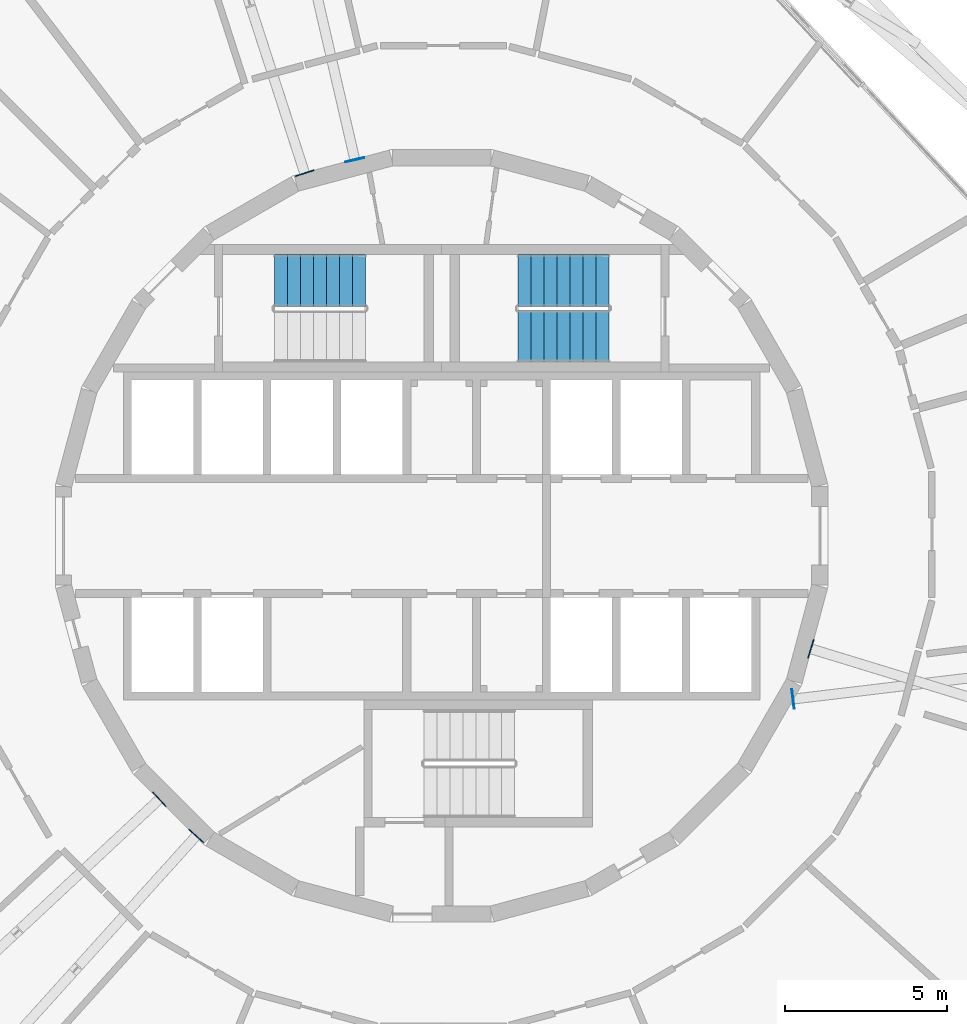
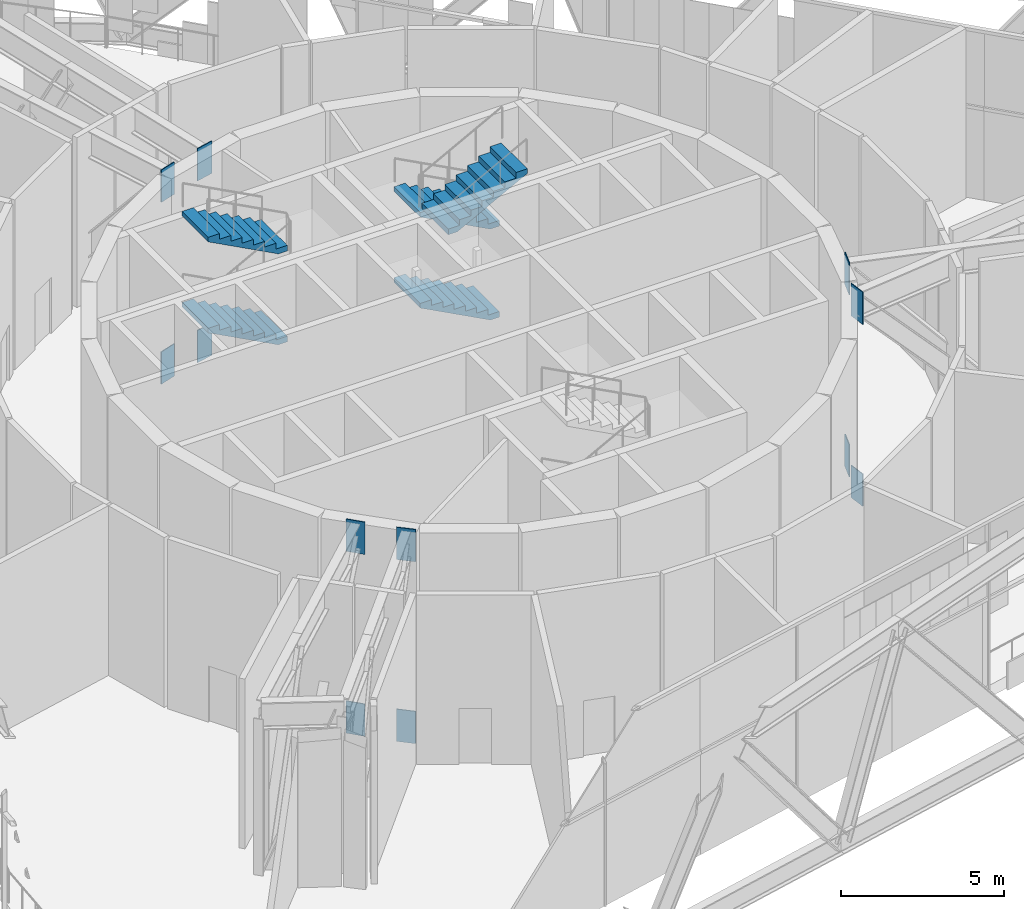
# One storey, part 23 of 25: 12 discrete accessories, 5 stair flights, 2 elements without a shape of their own.
"""IFC4 building model written with IfcOpenShell, lengths in metres."""

from ifc_helpers import new_model, si_unit, direction, frame, origin, origin_2d, place, context, subcontext, project, spatial, polyline, rectangle, outline, extrude, material, layer, layer_set, type_object, element, aggregate, save


model = new_model("IFC4")

# Units and contexts
model_context = context("Model", 3, precision=1e-05, world=origin(), true_north=direction((0.0, 1.0)))
body_context = subcontext(model_context, "Body", "Model", "MODEL_VIEW")
ifc_project = project(units=[si_unit("LENGTHUNIT", "METRE"), si_unit("AREAUNIT", "SQUARE_METRE"), si_unit("VOLUMEUNIT", "CUBIC_METRE"), si_unit("PLANEANGLEUNIT", "RADIAN"), si_unit("MASSUNIT", "GRAM", prefix="KILO")], contexts=[model_context])

# Site, building, storey
site_placement = place(None, origin())
site = spatial("IfcSite", under=ifc_project, at=site_placement, CompositionType="ELEMENT")
building_placement = place(site_placement, origin())
building = spatial("IfcBuilding", under=site, at=building_placement, Name="Spindle Arch Residences", CompositionType="ELEMENT")
storey_placement = place(building_placement, frame((0.0, 0.0, 144.89990234375)))
storey = spatial("IfcBuildingStorey", under=building, at=storey_placement, Name="L36", CompositionType="ELEMENT", Elevation=144.89990234375)

# Stair, stair flights
ifc_material_1 = material(Name="Concrete C50/60", Category="concrete")
stair_type = type_object("IfcStairType", Name="Exit stair 32 risers", PredefinedType="HALF_TURN_STAIR", material=ifc_material_1)
stair_1_placement = place(storey_placement, origin())
stair_1 = element("IfcStair", 1, at=stair_1_placement, inside=storey, type_object=stair_type, Name="L36 Exit stair ST1", PredefinedType="HALF_TURN_STAIR")
ifc_material_2 = material(Name="Concrete C50/60", Category="concrete")
stair_flight_type = type_object("IfcStairFlightType", Name="Exit stair flight", PredefinedType="STRAIGHT", material=ifc_material_2)
stair_flight_1_placement = place(storey_placement, frame((5.14990234375, 7.8701171875, 0.0), z_axis=(0.0, 0.0, 1.0), x_axis=(-1.0, 0.0, 0.0)))
stair_flight_1 = element("IfcStairFlight", 2, at=stair_flight_1_placement, type_object=stair_flight_type, Name="ST1 flight 1", NumberOfRisers=8, NumberOfTreads=7, PredefinedType="STRAIGHT", RiserHeight=0.2125, TreadLength=0.4, context=body_context, shape_type="SweptSolid", body=[
    extrude(outline(polyline([(0.0, 0.0), (0.0, 0.21240234375), (0.39990234375, 0.21240234375), (0.39990234375, 0.425048828125), (0.800048828125, 0.425048828125), (0.800048828125, 0.637451171875), (1.199951171875, 0.637451171875), (1.199951171875, 0.85009765625), (1.60009765625, 0.85009765625), (1.60009765625, 1.0625), (2.0, 1.0625), (2.0, 1.27490234375), (2.39990234375, 1.27490234375), (2.39990234375, 1.487548828125), (2.800048828125, 1.487548828125), (2.800048828125, 1.699951171875), (2.800048828125, 1.31787109375), (0.319580078125, 0.0), (0.0, 0.0)])), frame((0.0, 0.800048828125, 0.0), z_axis=(0.0, -1.0, 0.0), x_axis=(1.0, 0.0, 0.0)), (0.0, 0.0, 1.0), 1.60009765625),
])
stair_flight_2_placement = place(storey_placement, frame((5.14990234375, 7.8701171875, 3.400146484375), z_axis=(0.0, 0.0, 1.0), x_axis=(-1.0, 0.0, 0.0)))
stair_flight_2 = element("IfcStairFlight", 3, at=stair_flight_2_placement, type_object=stair_flight_type, Name="ST1 flight 3", NumberOfRisers=8, NumberOfTreads=7, PredefinedType="STRAIGHT", RiserHeight=0.2125, TreadLength=0.4, context=body_context, shape_type="SweptSolid", body=[
    extrude(outline(polyline([(0.0, 0.0), (0.0, 0.21240234375), (0.39990234375, 0.21240234375), (0.39990234375, 0.425048828125), (0.800048828125, 0.425048828125), (0.800048828125, 0.637451171875), (1.199951171875, 0.637451171875), (1.199951171875, 0.85009765625), (1.60009765625, 0.85009765625), (1.60009765625, 1.0625), (2.0, 1.0625), (2.0, 1.27490234375), (2.39990234375, 1.27490234375), (2.39990234375, 1.487548828125), (2.800048828125, 1.487548828125), (2.800048828125, 1.699951171875), (2.800048828125, 1.31787109375), (0.319580078125, 0.0), (0.0, 0.0)])), frame((0.0, 0.800048828125, 0.0), z_axis=(0.0, -1.0, 0.0), x_axis=(1.0, 0.0, 0.0)), (0.0, 0.0, 1.0), 1.60009765625),
])
stair_flight_3_placement = place(storey_placement, frame((2.35009765625, 6.14990234375, 5.10009765625), z_axis=(0.0, 0.0, 1.0), x_axis=(1.0, 0.0, 0.0)))
stair_flight_3 = element("IfcStairFlight", 4, at=stair_flight_3_placement, type_object=stair_flight_type, Name="ST1 flight 4", NumberOfRisers=8, NumberOfTreads=7, PredefinedType="STRAIGHT", RiserHeight=0.2125, TreadLength=0.4, context=body_context, shape_type="SweptSolid", body=[
    extrude(outline(polyline([(0.0, 0.0), (0.0, 0.21240234375), (0.39990234375, 0.21240234375), (0.39990234375, 0.425048828125), (0.800048828125, 0.425048828125), (0.800048828125, 0.637451171875), (1.199951171875, 0.637451171875), (1.199951171875, 0.85009765625), (1.60009765625, 0.85009765625), (1.60009765625, 1.0625), (2.0, 1.0625), (2.0, 1.27490234375), (2.39990234375, 1.27490234375), (2.39990234375, 1.487548828125), (2.800048828125, 1.487548828125), (2.800048828125, 1.699951171875), (2.800048828125, 1.31787109375), (0.319580078125, 0.0), (0.0, 0.0)])), frame((0.0, 0.800048828125, 0.0), z_axis=(0.0, -1.0, 0.0), x_axis=(1.0, 0.0, 0.0)), (0.0, 0.0, 1.0), 1.60009765625),
])
aggregate(stair_1, [stair_flight_1, stair_flight_2, stair_flight_3])

stair_2_placement = place(storey_placement, origin())
stair_2 = element("IfcStair", 5, at=stair_2_placement, inside=storey, type_object=stair_type, Name="L36 Exit stair ST2", PredefinedType="HALF_TURN_STAIR")
stair_flight_4_placement = place(storey_placement, frame((-2.35009765625, 7.8701171875, 1.7001953125), z_axis=(0.0, 0.0, 1.0), x_axis=(-1.0, 0.0, 0.0)))
stair_flight_4 = element("IfcStairFlight", 6, at=stair_flight_4_placement, type_object=stair_flight_type, Name="ST2 flight 2", NumberOfRisers=8, NumberOfTreads=7, PredefinedType="STRAIGHT", RiserHeight=0.2125, TreadLength=0.4, context=body_context, shape_type="SweptSolid", body=[
    extrude(outline(polyline([(0.0, 0.0), (0.0, 0.21240234375), (0.39990234375, 0.21240234375), (0.39990234375, 0.425048828125), (0.800048828125, 0.425048828125), (0.800048828125, 0.637451171875), (1.199951171875, 0.637451171875), (1.199951171875, 0.85009765625), (1.60009765625, 0.85009765625), (1.60009765625, 1.0625), (2.0, 1.0625), (2.0, 1.27490234375), (2.39990234375, 1.27490234375), (2.39990234375, 1.487548828125), (2.800048828125, 1.487548828125), (2.800048828125, 1.699951171875), (2.800048828125, 1.31787109375), (0.319580078125, 0.0), (0.0, 0.0)])), frame((0.0, 0.800048828125, 0.0), z_axis=(0.0, -1.0, 0.0), x_axis=(1.0, 0.0, 0.0)), (0.0, 0.0, 1.0), 1.60009765625),
])
stair_flight_5_placement = place(storey_placement, frame((-2.35009765625, 7.8701171875, 5.10009765625), z_axis=(0.0, 0.0, 1.0), x_axis=(-1.0, 0.0, 0.0)))
stair_flight_5 = element("IfcStairFlight", 7, at=stair_flight_5_placement, type_object=stair_flight_type, Name="ST2 flight 4", NumberOfRisers=8, NumberOfTreads=7, PredefinedType="STRAIGHT", RiserHeight=0.2125, TreadLength=0.4, context=body_context, shape_type="SweptSolid", body=[
    extrude(outline(polyline([(0.0, 0.0), (0.0, 0.21240234375), (0.39990234375, 0.21240234375), (0.39990234375, 0.425048828125), (0.800048828125, 0.425048828125), (0.800048828125, 0.637451171875), (1.199951171875, 0.637451171875), (1.199951171875, 0.85009765625), (1.60009765625, 0.85009765625), (1.60009765625, 1.0625), (2.0, 1.0625), (2.0, 1.27490234375), (2.39990234375, 1.27490234375), (2.39990234375, 1.487548828125), (2.800048828125, 1.487548828125), (2.800048828125, 1.699951171875), (2.800048828125, 1.31787109375), (0.319580078125, 0.0), (0.0, 0.0)])), frame((0.0, 0.800048828125, 0.0), z_axis=(0.0, -1.0, 0.0), x_axis=(1.0, 0.0, 0.0)), (0.0, 0.0, 1.0), 1.60009765625),
])
aggregate(stair_2, [stair_flight_4, stair_flight_5])

# Discrete accessories
ifc_material_3 = material(Name="Steel S355J2, hot-dip galvanised", Category="steel")
ifc_layer = layer(ifc_material_3, 0.030029296875)
ifc_layer_set = layer_set([ifc_layer], Name="Cast-in plate 30x600x1208")
discrete_accessory_type = type_object("IfcDiscreteAccessoryType", Name="Cast-in plate 30x600x1208", PredefinedType="ANCHORPLATE", material=ifc_layer_set)
for number, where, z_axis, x_axis, name in (
    (8, (11.3701171875, -3.476318359375, -1.557861328125), (0.0, 0.0, 1.0), (0.956304245677, -0.292373373789, 0.0), "Cast-in plate"),
    (9, (11.3701171875, -3.476318359375, 5.2421875), (0.0, 0.0, 1.0), (0.956304245677, -0.292373373789, 0.0), "Cast-in plate"),
    (10, (10.822998046875, -5.024658203125, -1.557861328125), (0.0, 0.0, 1.0), (0.992889670189, 0.119038241045, 0.0), "Cast-in plate"),
    (11, (10.822998046875, -5.024658203125, 5.2421875), (0.0, 0.0, 1.0), (0.992889670189, 0.119038241045, 0.0), "Cast-in plate"),
    (12, (-2.674560546875, 11.5849609375, -1.557861328125), (0.0, 0.0, 1.0), (-0.224949353747, 0.974370457397, 0.0), "Cast-in plate"),
    (13, (-2.674560546875, 11.5849609375, 5.2421875), (0.0, 0.0, 1.0), (-0.224949353747, 0.974370457397, 0.0), "Cast-in plate"),
    (14, (-4.220458984375, 11.170654296875, -1.557861328125), (0.0, 0.0, 1.0), (-0.307907966892, 0.951416146554, 0.0), "Cast-in plate"),
    (15, (-4.220458984375, 11.170654296875, 5.2421875), (0.0, 0.0, 1.0), (-0.307907966892, 0.951416146554, 0.0), "Cast-in plate"),
    (16, (-8.6953125, -8.108642578125, -1.557861328125), (0.0, 0.0, 1.0), (-0.731352511306, -0.681999636514, 0.0), "Cast-in plate"),
    (17, (-8.6953125, -8.108642578125, 5.2421875), (0.0, 0.0, 1.0), (-0.731352511306, -0.681999636514, 0.0), "Cast-in plate"),
    (18, (-7.563720703125, -9.240478515625, -1.557861328125), (0.0, 0.0, 1.0), (-0.669996569041, -0.742364194633, 0.0), "Cast-in plate"),
    (19, (-7.563720703125, -9.240478515625, 5.2421875), (0.0, 0.0, 1.0), (-0.669996569041, -0.742364194633, 0.0), "Cast-in plate"),
):
    element("IfcDiscreteAccessory", number, at=place(storey_placement, frame(where, z_axis=z_axis, x_axis=x_axis)), inside=storey, type_object=discrete_accessory_type, Name=name, PredefinedType="ANCHORPLATE", context=body_context, shape_type="SweptSolid", body=[
        extrude(rectangle(XDim=0.030029296875, YDim=0.60009765625, at=origin_2d()), origin(), (0.0, 0.0, 1.0), 1.2080078125),
    ])

save(model, "model.ifc")
